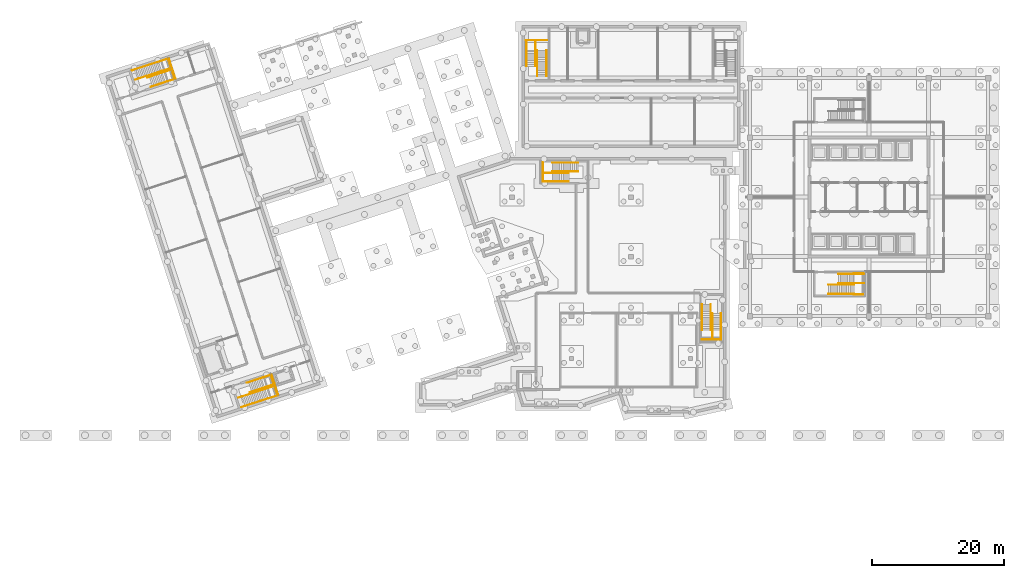
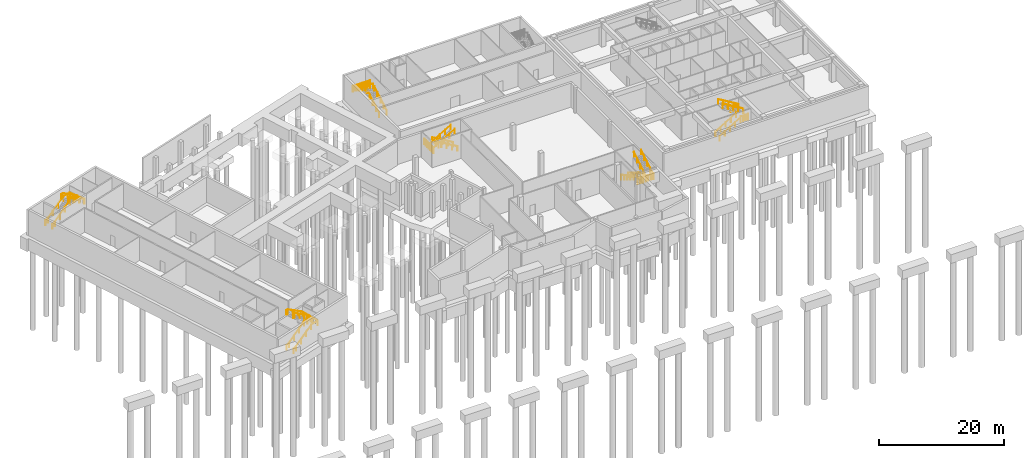
# One storey, part 15 of 17: 27 railings.
"""IFC4 building model written with IfcOpenShell, lengths in metres."""

from ifc_helpers import new_model, si_unit, direction, frame, origin, origin_2d, place, context, subcontext, project, spatial, circle, extrude, material, type_object, element, save


model = new_model("IFC4")

# Units and contexts
model_context = context("Model", 3, precision=1e-05, world=origin(), true_north=direction((0.0, 1.0)))
body_context = subcontext(model_context, "Body", "Model", "MODEL_VIEW")
ifc_project = project(units=[si_unit("LENGTHUNIT", "METRE"), si_unit("AREAUNIT", "SQUARE_METRE"), si_unit("VOLUMEUNIT", "CUBIC_METRE"), si_unit("PLANEANGLEUNIT", "RADIAN"), si_unit("MASSUNIT", "GRAM", prefix="KILO")], contexts=[model_context])

# Site, building, storey
site_placement = place(None, origin())
site = spatial("IfcSite", under=ifc_project, at=site_placement, CompositionType="ELEMENT")
building_placement = place(site_placement, origin())
building = spatial("IfcBuilding", under=site, at=building_placement, Name="Tuart Plaza Theatre", CompositionType="ELEMENT")
storey_placement = place(building_placement, frame((0.0, 0.0, -10.0)))
storey = spatial("IfcBuildingStorey", under=building, at=storey_placement, Name="B2", CompositionType="ELEMENT", Elevation=-10.0)

# Railings
ifc_material_1 = material(Name="Steel Grade C350L0", Category="steel")
railing_type_1 = type_object("IfcRailingType", Name="RAILING Guard 1100", PredefinedType="GUARDRAIL", material=ifc_material_1)
railing_1_placement = place(storey_placement, frame((42.625732421875, 44.146240234375, 2.5)))
element("IfcRailing", 1, at=railing_1_placement, inside=storey, type_object=railing_type_1, Name="GR3", PredefinedType="GUARDRAIL", context=body_context, shape_type="SweptSolid", body=[
    extrude(circle(Radius=0.02490234375, at=origin_2d()), frame((0.0, 0.0, 1.0751953125), z_axis=(-0.308988441001, 0.951065793375, 0.0), x_axis=(-0.951065793375, -0.308988441001, 0.0)), (0.0, 0.0, 1.0), 3.10986328125),
    extrude(circle(Radius=0.02001953125, at=origin_2d()), origin(), (0.0, 0.0, 1.0), 1.050048828125),
    extrude(circle(Radius=0.02001953125, at=origin_2d()), frame((-0.13720703125, 0.422607421875, 0.0)), (0.0, 0.0, 1.0), 1.050048828125),
    extrude(circle(Radius=0.02001953125, at=origin_2d()), frame((-0.274658203125, 0.844970703125, 0.0)), (0.0, 0.0, 1.0), 1.050048828125),
    extrude(circle(Radius=0.02001953125, at=origin_2d()), frame((-0.411865234375, 1.267578125, 0.0)), (0.0, 0.0, 1.0), 1.050048828125),
    extrude(circle(Radius=0.02001953125, at=origin_2d()), frame((-0.549072265625, 1.690185546875, 0.0)), (0.0, 0.0, 1.0), 1.050048828125),
    extrude(circle(Radius=0.02001953125, at=origin_2d()), frame((-0.686279296875, 2.11279296875, 0.0)), (0.0, 0.0, 1.0), 1.050048828125),
    extrude(circle(Radius=0.02001953125, at=origin_2d()), frame((-0.82373046875, 2.53515625, 0.0)), (0.0, 0.0, 1.0), 1.050048828125),
    extrude(circle(Radius=0.02001953125, at=origin_2d()), frame((-0.9609375, 2.957763671875, 0.0)), (0.0, 0.0, 1.0), 1.050048828125),
])
railing_2_placement = place(storey_placement, frame((26.13671875, 94.894775390625, 2.5)))
element("IfcRailing", 2, at=railing_2_placement, inside=storey, type_object=railing_type_1, Name="GR21", PredefinedType="GUARDRAIL", context=body_context, shape_type="SweptSolid", body=[
    extrude(circle(Radius=0.02490234375, at=origin_2d()), frame((0.0, 0.0, 1.0751953125), z_axis=(0.308988441001, -0.951065793375, 0.0), x_axis=(0.951065793375, 0.308988441001, 0.0)), (0.0, 0.0, 1.0), 3.10986328125),
    extrude(circle(Radius=0.02001953125, at=origin_2d()), origin(), (0.0, 0.0, 1.0), 1.050048828125),
    extrude(circle(Radius=0.02001953125, at=origin_2d()), frame((0.13720703125, -0.422607421875, 0.0)), (0.0, 0.0, 1.0), 1.050048828125),
    extrude(circle(Radius=0.02001953125, at=origin_2d()), frame((0.274658203125, -0.844970703125, 0.0)), (0.0, 0.0, 1.0), 1.050048828125),
    extrude(circle(Radius=0.02001953125, at=origin_2d()), frame((0.411865234375, -1.267578125, 0.0)), (0.0, 0.0, 1.0), 1.050048828125),
    extrude(circle(Radius=0.02001953125, at=origin_2d()), frame((0.549072265625, -1.690185546875, 0.0)), (0.0, 0.0, 1.0), 1.050048828125),
    extrude(circle(Radius=0.02001953125, at=origin_2d()), frame((0.686279296875, -2.11279296875, 0.0)), (0.0, 0.0, 1.0), 1.050048828125),
    extrude(circle(Radius=0.02001953125, at=origin_2d()), frame((0.82373046875, -2.53515625, 0.0)), (0.0, 0.0, 1.0), 1.050048828125),
    extrude(circle(Radius=0.02001953125, at=origin_2d()), frame((0.9609375, -2.957763671875, 0.0)), (0.0, 0.0, 1.0), 1.050048828125),
])
railing_3_placement = place(storey_placement, frame((106.719970703125, 52.469970703125, 2.5)))
element("IfcRailing", 3, at=railing_3_placement, inside=storey, type_object=railing_type_1, Name="GR165", PredefinedType="GUARDRAIL", context=body_context, shape_type="SweptSolid", body=[
    extrude(circle(Radius=0.02490234375, at=origin_2d()), frame((0.0, 0.0, 1.0751953125), z_axis=(1.0, 0.0, 0.0), x_axis=(0.0, 1.0, 0.0)), (0.0, 0.0, 1.0), 2.909912109375),
    extrude(circle(Radius=0.02001953125, at=origin_2d()), origin(), (0.0, 0.0, 1.0), 1.050048828125),
    extrude(circle(Radius=0.02001953125, at=origin_2d()), frame((0.48486328125, 0.0, 0.0)), (0.0, 0.0, 1.0), 1.050048828125),
    extrude(circle(Radius=0.02001953125, at=origin_2d()), frame((0.969970703125, 0.0, 0.0)), (0.0, 0.0, 1.0), 1.050048828125),
    extrude(circle(Radius=0.02001953125, at=origin_2d()), frame((1.455078125, 0.0, 0.0)), (0.0, 0.0, 1.0), 1.050048828125),
    extrude(circle(Radius=0.02001953125, at=origin_2d()), frame((1.93994140625, 0.0, 0.0)), (0.0, 0.0, 1.0), 1.050048828125),
    extrude(circle(Radius=0.02001953125, at=origin_2d()), frame((2.4248046875, 0.0, 0.0)), (0.0, 0.0, 1.0), 1.050048828125),
    extrude(circle(Radius=0.02001953125, at=origin_2d()), frame((2.909912109375, 0.0, 0.0)), (0.0, 0.0, 1.0), 1.050048828125),
])
railing_4_placement = place(storey_placement, frame((82.669921875, 79.22998046875, 2.5)))
element("IfcRailing", 4, at=railing_4_placement, inside=storey, type_object=railing_type_1, Name="GR171", PredefinedType="GUARDRAIL", context=body_context, shape_type="SweptSolid", body=[
    extrude(circle(Radius=0.02490234375, at=origin_2d()), frame((0.0, 0.0, 1.0751953125), z_axis=(0.0, -1.0, 0.0), x_axis=(1.0, 0.0, 0.0)), (0.0, 0.0, 1.0), 2.909912109375),
    extrude(circle(Radius=0.02001953125, at=origin_2d()), origin(), (0.0, 0.0, 1.0), 1.050048828125),
    extrude(circle(Radius=0.02001953125, at=origin_2d()), frame((0.0, -0.48486328125, 0.0)), (0.0, 0.0, 1.0), 1.050048828125),
    extrude(circle(Radius=0.02001953125, at=origin_2d()), frame((0.0, -0.969970703125, 0.0)), (0.0, 0.0, 1.0), 1.050048828125),
    extrude(circle(Radius=0.02001953125, at=origin_2d()), frame((0.0, -1.455078125, 0.0)), (0.0, 0.0, 1.0), 1.050048828125),
    extrude(circle(Radius=0.02001953125, at=origin_2d()), frame((0.0, -1.93994140625, 0.0)), (0.0, 0.0, 1.0), 1.050048828125),
    extrude(circle(Radius=0.02001953125, at=origin_2d()), frame((0.0, -2.4248046875, 0.0)), (0.0, 0.0, 1.0), 1.050048828125),
    extrude(circle(Radius=0.02001953125, at=origin_2d()), frame((0.0, -2.909912109375, 0.0)), (0.0, 0.0, 1.0), 1.050048828125),
])
railing_5_placement = place(storey_placement, frame((129.699951171875, 59.300048828125, 2.5)))
element("IfcRailing", 5, at=railing_5_placement, inside=storey, type_object=railing_type_1, Name="GR439", PredefinedType="GUARDRAIL", context=body_context, shape_type="SweptSolid", body=[
    extrude(circle(Radius=0.02490234375, at=origin_2d()), frame((0.0, 0.0, 1.0751953125), z_axis=(1.0, 0.0, 0.0), x_axis=(0.0, 1.0, 0.0)), (0.0, 0.0, 1.0), 1.380126953125),
    extrude(circle(Radius=0.02001953125, at=origin_2d()), origin(), (0.0, 0.0, 1.0), 1.050048828125),
    extrude(circle(Radius=0.02001953125, at=origin_2d()), frame((0.4599609375, 0.0, 0.0)), (0.0, 0.0, 1.0), 1.050048828125),
    extrude(circle(Radius=0.02001953125, at=origin_2d()), frame((0.920166015625, 0.0, 0.0)), (0.0, 0.0, 1.0), 1.050048828125),
    extrude(circle(Radius=0.02001953125, at=origin_2d()), frame((1.380126953125, 0.0, 0.0)), (0.0, 0.0, 1.0), 1.050048828125),
])
railing_6_placement = place(storey_placement, frame((131.080078125, 62.449951171875, 2.5)))
element("IfcRailing", 6, at=railing_6_placement, inside=storey, type_object=railing_type_1, Name="GR440", PredefinedType="GUARDRAIL", context=body_context, shape_type="SweptSolid", body=[
    extrude(circle(Radius=0.02490234375, at=origin_2d()), frame((0.0, 0.0, 1.0751953125), z_axis=(-1.0, 0.0, 0.0), x_axis=(0.0, -1.0, 0.0)), (0.0, 0.0, 1.0), 1.380126953125),
    extrude(circle(Radius=0.02001953125, at=origin_2d()), origin(), (0.0, 0.0, 1.0), 1.050048828125),
    extrude(circle(Radius=0.02001953125, at=origin_2d()), frame((-0.4599609375, 0.0, 0.0)), (0.0, 0.0, 1.0), 1.050048828125),
    extrude(circle(Radius=0.02001953125, at=origin_2d()), frame((-0.920166015625, 0.0, 0.0)), (0.0, 0.0, 1.0), 1.050048828125),
    extrude(circle(Radius=0.02001953125, at=origin_2d()), frame((-1.380126953125, 0.0, 0.0)), (0.0, 0.0, 1.0), 1.050048828125),
])
railing_7_placement = place(storey_placement, frame((83.27490234375, 97.719970703125, 2.5)))
element("IfcRailing", 7, at=railing_7_placement, inside=storey, type_object=railing_type_1, Name="GR464", PredefinedType="GUARDRAIL", context=body_context, shape_type="SweptSolid", body=[
    extrude(circle(Radius=0.02490234375, at=origin_2d()), frame((0.0, 0.0, 1.0751953125), z_axis=(-1.0, 0.0, 0.0), x_axis=(0.0, -1.0, 0.0)), (0.0, 0.0, 1.0), 3.14990234375),
    extrude(circle(Radius=0.02001953125, at=origin_2d()), origin(), (0.0, 0.0, 1.0), 1.050048828125),
    extrude(circle(Radius=0.02001953125, at=origin_2d()), frame((-0.449951171875, 0.0, 0.0)), (0.0, 0.0, 1.0), 1.050048828125),
    extrude(circle(Radius=0.02001953125, at=origin_2d()), frame((-0.89990234375, 0.0, 0.0)), (0.0, 0.0, 1.0), 1.050048828125),
    extrude(circle(Radius=0.02001953125, at=origin_2d()), frame((-1.349853515625, 0.0, 0.0)), (0.0, 0.0, 1.0), 1.050048828125),
    extrude(circle(Radius=0.02001953125, at=origin_2d()), frame((-1.800048828125, 0.0, 0.0)), (0.0, 0.0, 1.0), 1.050048828125),
    extrude(circle(Radius=0.02001953125, at=origin_2d()), frame((-2.25, 0.0, 0.0)), (0.0, 0.0, 1.0), 1.050048828125),
    extrude(circle(Radius=0.02001953125, at=origin_2d()), frame((-2.699951171875, 0.0, 0.0)), (0.0, 0.0, 1.0), 1.050048828125),
    extrude(circle(Radius=0.02001953125, at=origin_2d()), frame((-3.14990234375, 0.0, 0.0)), (0.0, 0.0, 1.0), 1.050048828125),
])
ifc_material_2 = material(Name="Steel Grade C350L0", Category="steel")
railing_type_2 = type_object("IfcRailingType", Name="RAILING Handrail 900", PredefinedType="HANDRAIL", material=ifc_material_2)
railing_8_placement = place(storey_placement, frame((36.6279296875, 43.6748046875, 0.0)))
element("IfcRailing", 8, at=railing_8_placement, inside=storey, type_object=railing_type_2, Name="HR1", PredefinedType="HANDRAIL", context=body_context, shape_type="SweptSolid", body=[
    extrude(circle(Radius=0.0224609375, at=origin_2d()), frame((0.0, 0.0, 0.87744140625), z_axis=(0.91641792704, 0.297502654672, 0.267713192544), x_axis=(-0.308773297186, 0.951135663796, 0.0)), (0.0, 0.0, 1.0), 0.622802734375),
    extrude(circle(Radius=0.0224609375, at=origin_2d()), frame((0.57080078125, 0.185302734375, 1.044189453125), z_axis=(0.80065959676, 0.260204487049, 0.539664557884), x_axis=(-0.309075455797, 0.951037519041, 0.0)), (0.0, 0.0, 1.0), 4.323486328125),
    extrude(circle(Radius=0.0224609375, at=origin_2d()), frame((4.032470703125, 1.310302734375, 3.37744140625), z_axis=(0.951096241278, 0.308894706699, 0.0), x_axis=(-0.308894706699, 0.951096241278, 0.0)), (0.0, 0.0, 1.0), 1.5),
    extrude(circle(Radius=0.0224609375, at=origin_2d()), frame((5.459228515625, 1.773681640625, 3.37744140625), z_axis=(-0.227464384092, 0.698896877306, 0.678087832704), x_axis=(-0.95090484413, -0.309483404096, 0.0)), (0.0, 0.0, 1.0), 0.34033203125),
    extrude(circle(Radius=0.0224609375, at=origin_2d()), frame((5.3818359375, 2.011474609375, 3.608154296875), z_axis=(-0.800661699709, -0.260171506628, 0.539677338564), x_axis=(0.309039288522, -0.951049272199, 0.0)), (0.0, 0.0, 1.0), 4.204833984375),
    extrude(circle(Radius=0.0224609375, at=origin_2d()), frame((2.01513671875, 0.91748046875, 5.87744140625), z_axis=(-0.951255083436, -0.308405198137, 0.0), x_axis=(0.308405198137, -0.951255083436, 0.0)), (0.0, 0.0, 1.0), 0.300048828125),
    extrude(circle(Radius=0.01513671875, at=origin_2d()), origin(), (0.0, 0.0, 1.0), 0.85498046875),
    extrude(circle(Radius=0.01513671875, at=origin_2d()), frame((0.57080078125, 0.185302734375, 0.166748046875)), (0.0, 0.0, 1.0), 0.85498046875),
    extrude(circle(Radius=0.01513671875, at=origin_2d()), frame((1.724609375, 0.560302734375, 0.944580078125)), (0.0, 0.0, 1.0), 0.85498046875),
    extrude(circle(Radius=0.01513671875, at=origin_2d()), frame((2.878662109375, 0.935302734375, 1.72216796875)), (0.0, 0.0, 1.0), 0.85498046875),
    extrude(circle(Radius=0.01513671875, at=origin_2d()), frame((4.032470703125, 1.310302734375, 2.5)), (0.0, 0.0, 1.0), 0.85498046875),
    extrude(circle(Radius=0.01513671875, at=origin_2d()), frame((4.745849609375, 1.5419921875, 2.5)), (0.0, 0.0, 1.0), 0.85498046875),
    extrude(circle(Radius=0.01513671875, at=origin_2d()), frame((5.459228515625, 1.773681640625, 2.5)), (0.0, 0.0, 1.0), 0.85498046875),
    extrude(circle(Radius=0.01513671875, at=origin_2d()), frame((5.3818359375, 2.011474609375, 2.730712890625)), (0.0, 0.0, 1.0), 0.85498046875),
    extrude(circle(Radius=0.01513671875, at=origin_2d()), frame((4.259521484375, 1.646728515625, 3.487060546875)), (0.0, 0.0, 1.0), 0.85498046875),
    extrude(circle(Radius=0.01513671875, at=origin_2d()), frame((3.137451171875, 1.2822265625, 4.24365234375)), (0.0, 0.0, 1.0), 0.85498046875),
    extrude(circle(Radius=0.01513671875, at=origin_2d()), frame((2.01513671875, 0.91748046875, 5.0)), (0.0, 0.0, 1.0), 0.85498046875),
    extrude(circle(Radius=0.01513671875, at=origin_2d()), frame((1.729736328125, 0.824951171875, 5.0)), (0.0, 0.0, 1.0), 0.85498046875),
])
railing_9_placement = place(storey_placement, frame((37.091552734375, 42.248291015625, 0.0)))
element("IfcRailing", 9, at=railing_9_placement, inside=storey, type_object=railing_type_2, Name="HR2", PredefinedType="HANDRAIL", context=body_context, shape_type="SweptSolid", body=[
    extrude(circle(Radius=0.0224609375, at=origin_2d()), frame((0.0, 0.0, 0.87744140625), z_axis=(0.916355108697, 0.297609553916, 0.267809387779), x_axis=(-0.308892816854, 0.951096855055, 0.0)), (0.0, 0.0, 1.0), 0.62255859375),
    extrude(circle(Radius=0.0224609375, at=origin_2d()), frame((0.570556640625, 0.185302734375, 1.044189453125), z_axis=(0.80069162673, 0.260140079291, 0.539648087211), x_axis=(-0.308995076085, 0.9510636377, 0.0)), (0.0, 0.0, 1.0), 4.32373046875),
    extrude(circle(Radius=0.0224609375, at=origin_2d()), frame((4.032470703125, 1.31005859375, 3.37744140625), z_axis=(0.951032872603, 0.309089752708, 0.0), x_axis=(-0.309089752708, 0.951032872603, 0.0)), (0.0, 0.0, 1.0), 1.5),
    extrude(circle(Radius=0.0224609375, at=origin_2d()), frame((5.458984375, 1.773681640625, 3.37744140625), z_axis=(-0.308208462342, 0.948679585037, 0.070813760494), x_axis=(-0.951067187383, -0.308984150214, 0.0)), (0.0, 0.0, 1.0), 3.258056640625),
    extrude(circle(Radius=0.0224609375, at=origin_2d()), frame((4.454833984375, 4.864501953125, 3.608154296875), z_axis=(-0.800694631505, -0.260105282368, 0.5396604017), x_axis=(0.308956641019, -0.951076124172, 0.0)), (0.0, 0.0, 1.0), 4.205078125),
    extrude(circle(Radius=0.0224609375, at=origin_2d()), frame((1.087890625, 3.770751953125, 5.87744140625), z_axis=(-0.950938293792, -0.309380609282, 0.0), x_axis=(0.309380609282, -0.950938293792, 0.0)), (0.0, 0.0, 1.0), 0.2998046875),
    extrude(circle(Radius=0.01513671875, at=origin_2d()), origin(), (0.0, 0.0, 1.0), 0.85498046875),
    extrude(circle(Radius=0.01513671875, at=origin_2d()), frame((0.570556640625, 0.185302734375, 0.166748046875)), (0.0, 0.0, 1.0), 0.85498046875),
    extrude(circle(Radius=0.01513671875, at=origin_2d()), frame((1.724609375, 0.560302734375, 0.944580078125)), (0.0, 0.0, 1.0), 0.85498046875),
    extrude(circle(Radius=0.01513671875, at=origin_2d()), frame((2.87841796875, 0.93505859375, 1.72216796875)), (0.0, 0.0, 1.0), 0.85498046875),
    extrude(circle(Radius=0.01513671875, at=origin_2d()), frame((4.032470703125, 1.31005859375, 2.5)), (0.0, 0.0, 1.0), 0.85498046875),
    extrude(circle(Radius=0.01513671875, at=origin_2d()), frame((5.458984375, 1.773681640625, 2.5)), (0.0, 0.0, 1.0), 0.85498046875),
    extrude(circle(Radius=0.01513671875, at=origin_2d()), frame((5.124267578125, 2.803955078125, 2.576904296875)), (0.0, 0.0, 1.0), 0.85498046875),
    extrude(circle(Radius=0.01513671875, at=origin_2d()), frame((4.78955078125, 3.834228515625, 2.65380859375)), (0.0, 0.0, 1.0), 0.85498046875),
    extrude(circle(Radius=0.01513671875, at=origin_2d()), frame((4.454833984375, 4.864501953125, 2.730712890625)), (0.0, 0.0, 1.0), 0.85498046875),
    extrude(circle(Radius=0.01513671875, at=origin_2d()), frame((3.33251953125, 4.5, 3.487060546875)), (0.0, 0.0, 1.0), 0.85498046875),
    extrude(circle(Radius=0.01513671875, at=origin_2d()), frame((2.210205078125, 4.13525390625, 4.24365234375)), (0.0, 0.0, 1.0), 0.85498046875),
    extrude(circle(Radius=0.01513671875, at=origin_2d()), frame((1.087890625, 3.770751953125, 5.0)), (0.0, 0.0, 1.0), 0.85498046875),
    extrude(circle(Radius=0.01513671875, at=origin_2d()), frame((0.802734375, 3.677978515625, 5.0)), (0.0, 0.0, 1.0), 0.85498046875),
])
railing_10_placement = place(storey_placement, frame((21.007080078125, 91.750732421875, 0.0)))
element("IfcRailing", 10, at=railing_10_placement, inside=storey, type_object=railing_type_2, Name="HR13", PredefinedType="HANDRAIL", context=body_context, shape_type="SweptSolid", body=[
    extrude(circle(Radius=0.0224609375, at=origin_2d()), frame((0.0, 0.0, 0.87744140625), z_axis=(0.91641792704, 0.297502654672, 0.267713192544), x_axis=(-0.308773297186, 0.951135663796, 0.0)), (0.0, 0.0, 1.0), 0.622802734375),
    extrude(circle(Radius=0.0224609375, at=origin_2d()), frame((0.57080078125, 0.185302734375, 1.044189453125), z_axis=(0.80065959676, 0.260204487049, 0.539664557884), x_axis=(-0.309075455797, 0.951037519041, 0.0)), (0.0, 0.0, 1.0), 4.323486328125),
    extrude(circle(Radius=0.0224609375, at=origin_2d()), frame((4.032470703125, 1.310302734375, 3.37744140625), z_axis=(0.951096241278, 0.308894706699, 0.0), x_axis=(-0.308894706699, 0.951096241278, 0.0)), (0.0, 0.0, 1.0), 1.5),
    extrude(circle(Radius=0.0224609375, at=origin_2d()), frame((5.459228515625, 1.773681640625, 3.37744140625), z_axis=(0.226783790612, -0.699010797647, 0.678198361166), x_axis=(0.951191832008, 0.308600224758, 0.0)), (0.0, 0.0, 1.0), 0.340087890625),
    extrude(circle(Radius=0.0224609375, at=origin_2d()), frame((5.536376953125, 1.535888671875, 3.608154296875), z_axis=(-0.80067379329, -0.26011737447, 0.539685490111), x_axis=(0.308976906612, -0.951069540665, 0.0)), (0.0, 0.0, 1.0), 4.204833984375),
    extrude(circle(Radius=0.0224609375, at=origin_2d()), frame((2.169677734375, 0.442138671875, 5.87744140625), z_axis=(-0.951016131768, -0.309141257546, 0.0), x_axis=(0.309141257546, -0.951016131768, 0.0)), (0.0, 0.0, 1.0), 0.300048828125),
    extrude(circle(Radius=0.01513671875, at=origin_2d()), origin(), (0.0, 0.0, 1.0), 0.85498046875),
    extrude(circle(Radius=0.01513671875, at=origin_2d()), frame((0.57080078125, 0.185302734375, 0.166748046875)), (0.0, 0.0, 1.0), 0.85498046875),
    extrude(circle(Radius=0.01513671875, at=origin_2d()), frame((1.724609375, 0.560302734375, 0.944580078125)), (0.0, 0.0, 1.0), 0.85498046875),
    extrude(circle(Radius=0.01513671875, at=origin_2d()), frame((2.878662109375, 0.935302734375, 1.72216796875)), (0.0, 0.0, 1.0), 0.85498046875),
    extrude(circle(Radius=0.01513671875, at=origin_2d()), frame((4.032470703125, 1.310302734375, 2.5)), (0.0, 0.0, 1.0), 0.85498046875),
    extrude(circle(Radius=0.01513671875, at=origin_2d()), frame((4.745849609375, 1.5419921875, 2.5)), (0.0, 0.0, 1.0), 0.85498046875),
    extrude(circle(Radius=0.01513671875, at=origin_2d()), frame((5.459228515625, 1.773681640625, 2.5)), (0.0, 0.0, 1.0), 0.85498046875),
    extrude(circle(Radius=0.01513671875, at=origin_2d()), frame((5.536376953125, 1.535888671875, 2.730712890625)), (0.0, 0.0, 1.0), 0.85498046875),
    extrude(circle(Radius=0.01513671875, at=origin_2d()), frame((4.4140625, 1.17138671875, 3.487060546875)), (0.0, 0.0, 1.0), 0.85498046875),
    extrude(circle(Radius=0.01513671875, at=origin_2d()), frame((3.2919921875, 0.806640625, 4.24365234375)), (0.0, 0.0, 1.0), 0.85498046875),
    extrude(circle(Radius=0.01513671875, at=origin_2d()), frame((2.169677734375, 0.442138671875, 5.0)), (0.0, 0.0, 1.0), 0.85498046875),
    extrude(circle(Radius=0.01513671875, at=origin_2d()), frame((1.88427734375, 0.349365234375, 5.0)), (0.0, 0.0, 1.0), 0.85498046875),
])
railing_11_placement = place(storey_placement, frame((20.543701171875, 93.17724609375, 0.0)))
element("IfcRailing", 11, at=railing_11_placement, inside=storey, type_object=railing_type_2, Name="HR14", PredefinedType="HANDRAIL", context=body_context, shape_type="SweptSolid", body=[
    extrude(circle(Radius=0.0224609375, at=origin_2d()), frame((0.0, 0.0, 0.87744140625), z_axis=(0.916248123003, 0.297966869269, 0.267778120672), x_axis=(-0.309260889552, 0.950977235371, 0.0)), (0.0, 0.0, 1.0), 0.622802734375),
    extrude(circle(Radius=0.0224609375, at=origin_2d()), frame((0.570556640625, 0.185546875, 1.044189453125), z_axis=(0.80069162673, 0.260140079291, 0.539648087211), x_axis=(-0.308995076085, 0.9510636377, 0.0)), (0.0, 0.0, 1.0), 4.32373046875),
    extrude(circle(Radius=0.0224609375, at=origin_2d()), frame((4.032470703125, 1.310302734375, 3.37744140625), z_axis=(0.951080708969, 0.308942527062, 0.0), x_axis=(-0.308942527062, 0.951080708969, 0.0)), (0.0, 0.0, 1.0), 1.5),
    extrude(circle(Radius=0.0224609375, at=origin_2d()), frame((5.458984375, 1.773681640625, 3.37744140625), z_axis=(0.308276276911, -0.94865767275, 0.070812124862), x_axis=(0.951045109239, 0.309052099479, 0.0)), (0.0, 0.0, 1.0), 3.258056640625),
    extrude(circle(Radius=0.0224609375, at=origin_2d()), frame((6.46337890625, -1.317138671875, 3.608154296875), z_axis=(-0.800661699709, -0.260171506628, 0.539677338564), x_axis=(0.309039288522, -0.951049272199, 0.0)), (0.0, 0.0, 1.0), 4.204833984375),
    extrude(circle(Radius=0.0224609375, at=origin_2d()), frame((3.0966796875, -2.4111328125, 5.87744140625), z_axis=(-0.951255083436, -0.308405198137, 0.0), x_axis=(0.308405198137, -0.951255083436, 0.0)), (0.0, 0.0, 1.0), 0.300048828125),
    extrude(circle(Radius=0.01513671875, at=origin_2d()), origin(), (0.0, 0.0, 1.0), 0.85498046875),
    extrude(circle(Radius=0.01513671875, at=origin_2d()), frame((0.570556640625, 0.185546875, 0.166748046875)), (0.0, 0.0, 1.0), 0.85498046875),
    extrude(circle(Radius=0.01513671875, at=origin_2d()), frame((1.724609375, 0.560546875, 0.944580078125)), (0.0, 0.0, 1.0), 0.85498046875),
    extrude(circle(Radius=0.01513671875, at=origin_2d()), frame((2.87841796875, 0.935302734375, 1.72216796875)), (0.0, 0.0, 1.0), 0.85498046875),
    extrude(circle(Radius=0.01513671875, at=origin_2d()), frame((4.032470703125, 1.310302734375, 2.5)), (0.0, 0.0, 1.0), 0.85498046875),
    extrude(circle(Radius=0.01513671875, at=origin_2d()), frame((5.458984375, 1.773681640625, 2.5)), (0.0, 0.0, 1.0), 0.85498046875),
    extrude(circle(Radius=0.01513671875, at=origin_2d()), frame((5.793701171875, 0.743408203125, 2.576904296875)), (0.0, 0.0, 1.0), 0.85498046875),
    extrude(circle(Radius=0.01513671875, at=origin_2d()), frame((6.128662109375, -0.286865234375, 2.65380859375)), (0.0, 0.0, 1.0), 0.85498046875),
    extrude(circle(Radius=0.01513671875, at=origin_2d()), frame((6.46337890625, -1.317138671875, 2.730712890625)), (0.0, 0.0, 1.0), 0.85498046875),
    extrude(circle(Radius=0.01513671875, at=origin_2d()), frame((5.341064453125, -1.681884765625, 3.487060546875)), (0.0, 0.0, 1.0), 0.85498046875),
    extrude(circle(Radius=0.01513671875, at=origin_2d()), frame((4.218994140625, -2.04638671875, 4.24365234375)), (0.0, 0.0, 1.0), 0.85498046875),
    extrude(circle(Radius=0.01513671875, at=origin_2d()), frame((3.0966796875, -2.4111328125, 5.0)), (0.0, 0.0, 1.0), 0.85498046875),
    extrude(circle(Radius=0.01513671875, at=origin_2d()), frame((2.811279296875, -2.503662109375, 5.0)), (0.0, 0.0, 1.0), 0.85498046875),
])
for number, where, name in (
    (12, (108.050048828125, 57.800048828125, 0.166748046875), "HR95"),
    (13, (106.75, 57.800048828125, 0.166748046875), "HR96"),
):
    element("IfcRailing", number, at=place(storey_placement, frame(where)), inside=storey, type_object=railing_type_2, Name=name, PredefinedType="HANDRAIL", context=body_context, shape_type="SweptSolid", body=[
        extrude(circle(Radius=0.0224609375, at=origin_2d()), frame((0.0, 0.0, 0.87744140625), z_axis=(0.0, -0.859310244771, 0.511454693235), x_axis=(1.0, 0.0, 0.0)), (0.0, 0.0, 1.0), 4.56201171875),
        extrude(circle(Radius=0.01513671875, at=origin_2d()), origin(), (0.0, 0.0, 1.0), 0.85498046875),
        extrude(circle(Radius=0.01513671875, at=origin_2d()), frame((0.0, -0.97998046875, 0.583251953125)), (0.0, 0.0, 1.0), 0.85498046875),
        extrude(circle(Radius=0.01513671875, at=origin_2d()), frame((0.0, -1.9599609375, 1.16650390625)), (0.0, 0.0, 1.0), 0.85498046875),
        extrude(circle(Radius=0.01513671875, at=origin_2d()), frame((0.0, -2.940185546875, 1.75)), (0.0, 0.0, 1.0), 0.85498046875),
        extrude(circle(Radius=0.01513671875, at=origin_2d()), frame((0.0, -3.920166015625, 2.333251953125)), (0.0, 0.0, 1.0), 0.85498046875),
    ])
for number, where, name in (
    (14, (108.300048828125, 52.47998046875, 2.666748046875), "HR97"),
    (15, (109.60009765625, 52.47998046875, 2.666748046875), "HR98"),
):
    element("IfcRailing", number, at=place(storey_placement, frame(where)), inside=storey, type_object=railing_type_2, Name=name, PredefinedType="HANDRAIL", context=body_context, shape_type="SweptSolid", body=[
        extrude(circle(Radius=0.0224609375, at=origin_2d()), frame((0.0, 0.0, 0.87744140625), z_axis=(0.0, 0.859296244711, 0.511478214419), x_axis=(-1.0, 0.0, 0.0)), (0.0, 0.0, 1.0), 4.561767578125),
        extrude(circle(Radius=0.01513671875, at=origin_2d()), origin(), (0.0, 0.0, 1.0), 0.85498046875),
        extrude(circle(Radius=0.01513671875, at=origin_2d()), frame((0.0, 0.97998046875, 0.583251953125)), (0.0, 0.0, 1.0), 0.85498046875),
        extrude(circle(Radius=0.01513671875, at=origin_2d()), frame((0.0, 1.9599609375, 1.16650390625)), (0.0, 0.0, 1.0), 0.85498046875),
        extrude(circle(Radius=0.01513671875, at=origin_2d()), frame((0.0, 2.93994140625, 1.75)), (0.0, 0.0, 1.0), 0.85498046875),
        extrude(circle(Radius=0.01513671875, at=origin_2d()), frame((0.0, 3.919921875, 2.333251953125)), (0.0, 0.0, 1.0), 0.85498046875),
    ])
for number, where, name in (
    (16, (88.0, 77.89990234375, 0.166748046875), "HR103"),
    (17, (88.0, 79.199951171875, 0.166748046875), "HR104"),
):
    element("IfcRailing", number, at=place(storey_placement, frame(where)), inside=storey, type_object=railing_type_2, Name=name, PredefinedType="HANDRAIL", context=body_context, shape_type="SweptSolid", body=[
        extrude(circle(Radius=0.0224609375, at=origin_2d()), frame((0.0, 0.0, 0.87744140625), z_axis=(-0.859296244711, 0.0, 0.511478214419), x_axis=(0.0, -1.0, 0.0)), (0.0, 0.0, 1.0), 4.561767578125),
        extrude(circle(Radius=0.01513671875, at=origin_2d()), origin(), (0.0, 0.0, 1.0), 0.85498046875),
        extrude(circle(Radius=0.01513671875, at=origin_2d()), frame((-0.97998046875, 0.0, 0.583251953125)), (0.0, 0.0, 1.0), 0.85498046875),
        extrude(circle(Radius=0.01513671875, at=origin_2d()), frame((-1.9599609375, 0.0, 1.16650390625)), (0.0, 0.0, 1.0), 0.85498046875),
        extrude(circle(Radius=0.01513671875, at=origin_2d()), frame((-2.93994140625, 0.0, 1.75)), (0.0, 0.0, 1.0), 0.85498046875),
        extrude(circle(Radius=0.01513671875, at=origin_2d()), frame((-3.919921875, 0.0, 2.333251953125)), (0.0, 0.0, 1.0), 0.85498046875),
    ])
for number, where, name in (
    (18, (82.679931640625, 77.64990234375, 2.666748046875), "HR105"),
    (19, (82.679931640625, 76.35009765625, 2.666748046875), "HR106"),
):
    element("IfcRailing", number, at=place(storey_placement, frame(where)), inside=storey, type_object=railing_type_2, Name=name, PredefinedType="HANDRAIL", context=body_context, shape_type="SweptSolid", body=[
        extrude(circle(Radius=0.0224609375, at=origin_2d()), frame((0.0, 0.0, 0.87744140625), z_axis=(0.859310244771, 0.0, 0.511454693235), x_axis=(0.0, 1.0, 0.0)), (0.0, 0.0, 1.0), 4.56201171875),
        extrude(circle(Radius=0.01513671875, at=origin_2d()), origin(), (0.0, 0.0, 1.0), 0.85498046875),
        extrude(circle(Radius=0.01513671875, at=origin_2d()), frame((0.97998046875, 0.0, 0.583251953125)), (0.0, 0.0, 1.0), 0.85498046875),
        extrude(circle(Radius=0.01513671875, at=origin_2d()), frame((1.9599609375, 0.0, 1.16650390625)), (0.0, 0.0, 1.0), 0.85498046875),
        extrude(circle(Radius=0.01513671875, at=origin_2d()), frame((2.940185546875, 0.0, 1.75)), (0.0, 0.0, 1.0), 0.85498046875),
        extrude(circle(Radius=0.01513671875, at=origin_2d()), frame((3.920166015625, 0.0, 2.333251953125)), (0.0, 0.0, 1.0), 0.85498046875),
    ])
for number, where, name in (
    (20, (125.8701171875, 60.75, 0.166748046875), "HR307"),
    (21, (125.8701171875, 59.35009765625, 0.166748046875), "HR308"),
):
    element("IfcRailing", number, at=place(storey_placement, frame(where)), inside=storey, type_object=railing_type_2, Name=name, PredefinedType="HANDRAIL", context=body_context, shape_type="SweptSolid", body=[
        extrude(circle(Radius=0.0224609375, at=origin_2d()), frame((0.0, 0.0, 0.87744140625), z_axis=(0.855197103107, 0.0, 0.518302918029), x_axis=(0.0, 1.0, 0.0)), (0.0, 0.0, 1.0), 4.501708984375),
        extrude(circle(Radius=0.01513671875, at=origin_2d()), origin(), (0.0, 0.0, 1.0), 0.85498046875),
        extrude(circle(Radius=0.01513671875, at=origin_2d()), frame((0.96240234375, 0.0, 0.583251953125)), (0.0, 0.0, 1.0), 0.85498046875),
        extrude(circle(Radius=0.01513671875, at=origin_2d()), frame((1.9248046875, 0.0, 1.16650390625)), (0.0, 0.0, 1.0), 0.85498046875),
        extrude(circle(Radius=0.01513671875, at=origin_2d()), frame((2.887451171875, 0.0, 1.75)), (0.0, 0.0, 1.0), 0.85498046875),
        extrude(circle(Radius=0.01513671875, at=origin_2d()), frame((3.849853515625, 0.0, 2.333251953125)), (0.0, 0.0, 1.0), 0.85498046875),
    ])
for number, where, name in (
    (22, (131.219970703125, 61.0, 2.666748046875), "HR309"),
    (23, (131.219970703125, 62.39990234375, 2.666748046875), "HR310"),
):
    element("IfcRailing", number, at=place(storey_placement, frame(where)), inside=storey, type_object=railing_type_2, Name=name, PredefinedType="HANDRAIL", context=body_context, shape_type="SweptSolid", body=[
        extrude(circle(Radius=0.0224609375, at=origin_2d()), frame((0.0, 0.0, 0.87744140625), z_axis=(-0.855197103107, 0.0, 0.518302918029), x_axis=(0.0, -1.0, 0.0)), (0.0, 0.0, 1.0), 4.501708984375),
        extrude(circle(Radius=0.01513671875, at=origin_2d()), origin(), (0.0, 0.0, 1.0), 0.85498046875),
        extrude(circle(Radius=0.01513671875, at=origin_2d()), frame((-0.96240234375, 0.0, 0.583251953125)), (0.0, 0.0, 1.0), 0.85498046875),
        extrude(circle(Radius=0.01513671875, at=origin_2d()), frame((-1.9248046875, 0.0, 1.16650390625)), (0.0, 0.0, 1.0), 0.85498046875),
        extrude(circle(Radius=0.01513671875, at=origin_2d()), frame((-2.887451171875, 0.0, 1.75)), (0.0, 0.0, 1.0), 0.85498046875),
        extrude(circle(Radius=0.01513671875, at=origin_2d()), frame((-3.849853515625, 0.0, 2.333251953125)), (0.0, 0.0, 1.0), 0.85498046875),
    ])
for number, where, name in (
    (24, (81.824951171875, 92.300048828125, 0.166748046875), "HR331"),
    (25, (83.22509765625, 92.300048828125, 0.166748046875), "HR332"),
):
    element("IfcRailing", number, at=place(storey_placement, frame(where)), inside=storey, type_object=railing_type_2, Name=name, PredefinedType="HANDRAIL", context=body_context, shape_type="SweptSolid", body=[
        extrude(circle(Radius=0.0224609375, at=origin_2d()), frame((0.0, 0.0, 0.87744140625), z_axis=(0.0, 0.859296244711, 0.511478214419), x_axis=(-1.0, 0.0, 0.0)), (0.0, 0.0, 1.0), 4.561767578125),
        extrude(circle(Radius=0.01513671875, at=origin_2d()), origin(), (0.0, 0.0, 1.0), 0.85498046875),
        extrude(circle(Radius=0.01513671875, at=origin_2d()), frame((0.0, 0.97998046875, 0.583251953125)), (0.0, 0.0, 1.0), 0.85498046875),
        extrude(circle(Radius=0.01513671875, at=origin_2d()), frame((0.0, 1.9599609375, 1.16650390625)), (0.0, 0.0, 1.0), 0.85498046875),
        extrude(circle(Radius=0.01513671875, at=origin_2d()), frame((0.0, 2.93994140625, 1.75)), (0.0, 0.0, 1.0), 0.85498046875),
        extrude(circle(Radius=0.01513671875, at=origin_2d()), frame((0.0, 3.919921875, 2.333251953125)), (0.0, 0.0, 1.0), 0.85498046875),
    ])
for number, where, name in (
    (26, (81.574951171875, 97.719970703125, 2.666748046875), "HR333"),
    (27, (80.175048828125, 97.719970703125, 2.666748046875), "HR334"),
):
    element("IfcRailing", number, at=place(storey_placement, frame(where)), inside=storey, type_object=railing_type_2, Name=name, PredefinedType="HANDRAIL", context=body_context, shape_type="SweptSolid", body=[
        extrude(circle(Radius=0.0224609375, at=origin_2d()), frame((0.0, 0.0, 0.87744140625), z_axis=(0.0, -0.859296244711, 0.511478214419), x_axis=(1.0, 0.0, 0.0)), (0.0, 0.0, 1.0), 4.561767578125),
        extrude(circle(Radius=0.01513671875, at=origin_2d()), origin(), (0.0, 0.0, 1.0), 0.85498046875),
        extrude(circle(Radius=0.01513671875, at=origin_2d()), frame((0.0, -0.97998046875, 0.583251953125)), (0.0, 0.0, 1.0), 0.85498046875),
        extrude(circle(Radius=0.01513671875, at=origin_2d()), frame((0.0, -1.9599609375, 1.16650390625)), (0.0, 0.0, 1.0), 0.85498046875),
        extrude(circle(Radius=0.01513671875, at=origin_2d()), frame((0.0, -2.93994140625, 1.75)), (0.0, 0.0, 1.0), 0.85498046875),
        extrude(circle(Radius=0.01513671875, at=origin_2d()), frame((0.0, -3.919921875, 2.333251953125)), (0.0, 0.0, 1.0), 0.85498046875),
    ])

save(model, "model.ifc")
